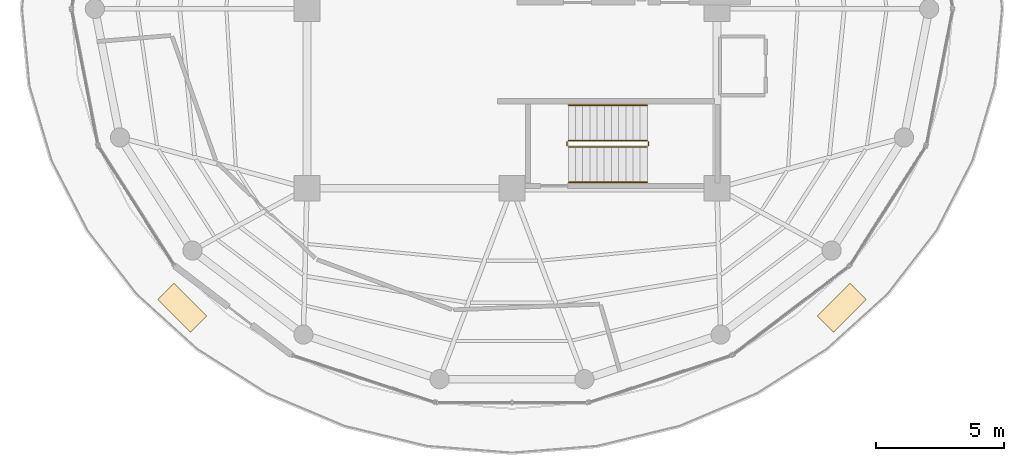
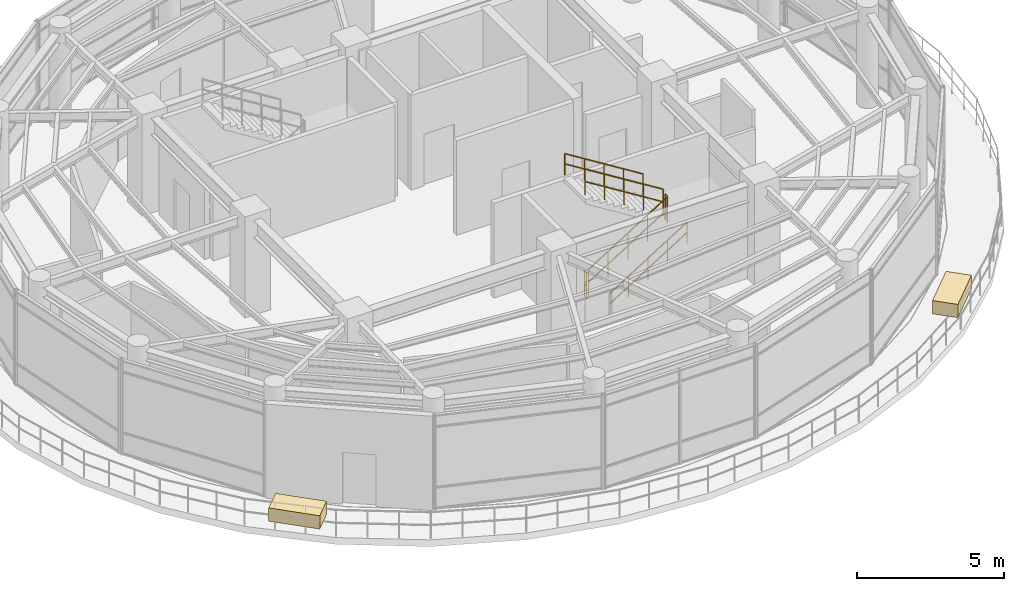
# One storey, part 19 of 20: 6 railings, 2 coverings.
"""IFC4 building model written with IfcOpenShell, lengths in metres."""

from ifc_helpers import new_model, si_unit, direction, frame, origin, origin_2d, place, context, subcontext, project, spatial, polyline, rectangle, outline, extrude, source, transform, mapped, material, layer, layer_set, type_object, element, save


model = new_model("IFC4")

# Units and contexts
model_context = context("Model", 3, precision=1e-05, world=origin(), true_north=direction((0.0, 1.0)))
body_context = subcontext(model_context, "Body", "Model", "MODEL_VIEW")
ifc_project = project(units=[si_unit("LENGTHUNIT", "METRE"), si_unit("AREAUNIT", "SQUARE_METRE"), si_unit("VOLUMEUNIT", "CUBIC_METRE"), si_unit("PLANEANGLEUNIT", "RADIAN"), si_unit("MASSUNIT", "GRAM", prefix="KILO")], contexts=[model_context])

# Site, building, storey
site_placement = place(None, origin())
site = spatial("IfcSite", under=ifc_project, at=site_placement, CompositionType="ELEMENT")
building_placement = place(site_placement, origin())
building = spatial("IfcBuilding", under=site, at=building_placement, Name="Kelanora Arch Commons", CompositionType="ELEMENT")
storey_placement = place(building_placement, frame((0.0, 0.0, 298.5)))
storey = spatial("IfcBuildingStorey", under=building, at=storey_placement, Name="L76", CompositionType="ELEMENT", Elevation=298.5)

# Railings
ifc_material_1 = material(Name="Painted steel stair well guard", Category="steel")
railing_type_1 = type_object("IfcRailingType", Name="RAIL-STAIR-GRD", PredefinedType="GUARDRAIL", material=ifc_material_1)
railing_1_placement = place(storey_placement, frame((76.199951171875, 52.610107421875, 0.175048828125)))
element("IfcRailing", 1, at=railing_1_placement, inside=storey, type_object=railing_type_1, Name="L76 ST-T2 stair guard 1", PredefinedType="GUARDRAIL", context=body_context, shape_type="SweptSolid", body=[
    extrude(outline(polyline([(0.02392578125, 0.0), (0.011962890625, 0.020751953125), (-0.011962890625, 0.020751953125), (-0.02392578125, 0.0), (-0.011962890625, -0.020751953125), (0.011962890625, -0.020751953125), (0.02392578125, 0.0)])), frame((0.0, 0.0, 1.076171875), z_axis=(0.847998304005, 0.0, 0.529998940003), x_axis=(0.0, 1.0, 0.0)), (0.0, 0.0, 1.0), 3.632080078125),
    extrude(outline(polyline([(0.02392578125, 0.0), (0.011962890625, 0.020751953125), (-0.011962890625, 0.020751953125), (-0.02392578125, 0.0), (-0.011962890625, -0.020751953125), (0.011962890625, -0.020751953125), (0.02392578125, 0.0)])), frame((0.0, 0.0, 0.550048828125), z_axis=(0.847998304005, 0.0, 0.529998940003), x_axis=(0.0, 1.0, 0.0)), (0.0, 0.0, 1.0), 3.632080078125),
    extrude(outline(polyline([(0.02099609375, 0.0), (0.010498046875, 0.01806640625), (-0.010498046875, 0.01806640625), (-0.02099609375, 0.0), (-0.010498046875, -0.01806640625), (0.010498046875, -0.01806640625), (0.02099609375, 0.0)])), origin(), (0.0, 0.0, 1.0), 1.052001953125),
    extrude(outline(polyline([(0.02099609375, 0.0), (0.010498046875, 0.01806640625), (-0.010498046875, 0.01806640625), (-0.02099609375, 0.0), (-0.010498046875, -0.01806640625), (0.010498046875, -0.01806640625), (0.02099609375, 0.0)])), frame((0.77001953125, 0.0, 0.481201171875)), (0.0, 0.0, 1.0), 1.052001953125),
    extrude(outline(polyline([(0.02099609375, 0.0), (0.010498046875, 0.01806640625), (-0.010498046875, 0.01806640625), (-0.02099609375, 0.0), (-0.010498046875, -0.01806640625), (0.010498046875, -0.01806640625), (0.02099609375, 0.0)])), frame((1.5400390625, 0.0, 0.96240234375)), (0.0, 0.0, 1.0), 1.052001953125),
    extrude(outline(polyline([(0.02099609375, 0.0), (0.010498046875, 0.01806640625), (-0.010498046875, 0.01806640625), (-0.02099609375, 0.0), (-0.010498046875, -0.01806640625), (0.010498046875, -0.01806640625), (0.02099609375, 0.0)])), frame((2.31005859375, 0.0, 1.44384765625)), (0.0, 0.0, 1.0), 1.052001953125),
    extrude(outline(polyline([(0.02099609375, 0.0), (0.010498046875, 0.01806640625), (-0.010498046875, 0.01806640625), (-0.02099609375, 0.0), (-0.010498046875, -0.01806640625), (0.010498046875, -0.01806640625), (0.02099609375, 0.0)])), frame((3.080078125, 0.0, 1.925048828125)), (0.0, 0.0, 1.0), 1.052001953125),
])
railing_2_placement = place(storey_placement, frame((79.330078125, 52.659912109375, 2.10009765625)))
element("IfcRailing", 2, at=railing_2_placement, inside=storey, type_object=railing_type_1, Name="L76 ST-T2 stair guard 2", PredefinedType="GUARDRAIL", context=body_context, shape_type="SweptSolid", body=[
    extrude(outline(polyline([(0.02392578125, 0.0), (0.011962890625, 0.020751953125), (-0.011962890625, 0.020751953125), (-0.02392578125, 0.0), (-0.011962890625, -0.020751953125), (0.011962890625, -0.020751953125), (0.02392578125, 0.0)])), frame((0.0, 0.0, 1.076171875), z_axis=(0.0, 1.0, 0.0), x_axis=(-1.0, 0.0, 0.0)), (0.0, 0.0, 1.0), 0.150146484375),
    extrude(outline(polyline([(0.02392578125, 0.0), (0.011962890625, 0.020751953125), (-0.011962890625, 0.020751953125), (-0.02392578125, 0.0), (-0.011962890625, -0.020751953125), (0.011962890625, -0.020751953125), (0.02392578125, 0.0)])), frame((0.0, 0.0, 0.550048828125), z_axis=(0.0, 1.0, 0.0), x_axis=(-1.0, 0.0, 0.0)), (0.0, 0.0, 1.0), 0.150146484375),
    extrude(outline(polyline([(0.02099609375, 0.0), (0.010498046875, 0.01806640625), (-0.010498046875, 0.01806640625), (-0.02099609375, 0.0), (-0.010498046875, -0.01806640625), (0.010498046875, -0.01806640625), (0.02099609375, 0.0)])), origin(), (0.0, 0.0, 1.0), 1.052001953125),
    extrude(outline(polyline([(0.02099609375, 0.0), (0.010498046875, 0.01806640625), (-0.010498046875, 0.01806640625), (-0.02099609375, 0.0), (-0.010498046875, -0.01806640625), (0.010498046875, -0.01806640625), (0.02099609375, 0.0)])), frame((0.0, 0.150146484375, 0.0)), (0.0, 0.0, 1.0), 1.052001953125),
])
railing_3_placement = place(storey_placement, frame((79.280029296875, 52.860107421875, 2.27490234375)))
element("IfcRailing", 3, at=railing_3_placement, inside=storey, type_object=railing_type_1, Name="L76 ST-T2 stair guard 3", PredefinedType="GUARDRAIL", context=body_context, shape_type="SweptSolid", body=[
    extrude(outline(polyline([(0.02392578125, 0.0), (0.011962890625, 0.020751953125), (-0.011962890625, 0.020751953125), (-0.02392578125, 0.0), (-0.011962890625, -0.020751953125), (0.011962890625, -0.020751953125), (0.02392578125, 0.0)])), frame((0.0, 0.0, 1.076171875), z_axis=(-0.847998304005, 0.0, 0.529998940003), x_axis=(0.0, -1.0, 0.0)), (0.0, 0.0, 1.0), 3.632080078125),
    extrude(outline(polyline([(0.02392578125, 0.0), (0.011962890625, 0.020751953125), (-0.011962890625, 0.020751953125), (-0.02392578125, 0.0), (-0.011962890625, -0.020751953125), (0.011962890625, -0.020751953125), (0.02392578125, 0.0)])), frame((0.0, 0.0, 0.550048828125), z_axis=(-0.847998304005, 0.0, 0.529998940003), x_axis=(0.0, -1.0, 0.0)), (0.0, 0.0, 1.0), 3.632080078125),
    extrude(outline(polyline([(0.02099609375, 0.0), (0.010498046875, 0.01806640625), (-0.010498046875, 0.01806640625), (-0.02099609375, 0.0), (-0.010498046875, -0.01806640625), (0.010498046875, -0.01806640625), (0.02099609375, 0.0)])), origin(), (0.0, 0.0, 1.0), 1.052001953125),
    extrude(outline(polyline([(0.02099609375, 0.0), (0.010498046875, 0.01806640625), (-0.010498046875, 0.01806640625), (-0.02099609375, 0.0), (-0.010498046875, -0.01806640625), (0.010498046875, -0.01806640625), (0.02099609375, 0.0)])), frame((-0.77001953125, 0.0, 0.481201171875)), (0.0, 0.0, 1.0), 1.052001953125),
    extrude(outline(polyline([(0.02099609375, 0.0), (0.010498046875, 0.01806640625), (-0.010498046875, 0.01806640625), (-0.02099609375, 0.0), (-0.010498046875, -0.01806640625), (0.010498046875, -0.01806640625), (0.02099609375, 0.0)])), frame((-1.5400390625, 0.0, 0.96240234375)), (0.0, 0.0, 1.0), 1.052001953125),
    extrude(outline(polyline([(0.02099609375, 0.0), (0.010498046875, 0.01806640625), (-0.010498046875, 0.01806640625), (-0.02099609375, 0.0), (-0.010498046875, -0.01806640625), (0.010498046875, -0.01806640625), (0.02099609375, 0.0)])), frame((-2.31005859375, 0.0, 1.44384765625)), (0.0, 0.0, 1.0), 1.052001953125),
    extrude(outline(polyline([(0.02099609375, 0.0), (0.010498046875, 0.01806640625), (-0.010498046875, 0.01806640625), (-0.02099609375, 0.0), (-0.010498046875, -0.01806640625), (0.010498046875, -0.01806640625), (0.02099609375, 0.0)])), frame((-3.080078125, 0.0, 1.925048828125)), (0.0, 0.0, 1.0), 1.052001953125),
])
railing_4_placement = place(storey_placement, frame((76.14990234375, 52.659912109375, 0.0)))
element("IfcRailing", 4, at=railing_4_placement, inside=storey, type_object=railing_type_1, Name="L76 ST-T2 stair guard 4", PredefinedType="GUARDRAIL", context=body_context, shape_type="SweptSolid", body=[
    extrude(outline(polyline([(0.02392578125, 0.0), (0.011962890625, 0.020751953125), (-0.011962890625, 0.020751953125), (-0.02392578125, 0.0), (-0.011962890625, -0.020751953125), (0.011962890625, -0.020751953125), (0.02392578125, 0.0)])), frame((0.0, 0.0, 1.076171875), z_axis=(0.0, 1.0, 0.0), x_axis=(-1.0, 0.0, 0.0)), (0.0, 0.0, 1.0), 0.150146484375),
    extrude(outline(polyline([(0.02392578125, 0.0), (0.011962890625, 0.020751953125), (-0.011962890625, 0.020751953125), (-0.02392578125, 0.0), (-0.011962890625, -0.020751953125), (0.011962890625, -0.020751953125), (0.02392578125, 0.0)])), frame((0.0, 0.0, 0.550048828125), z_axis=(0.0, 1.0, 0.0), x_axis=(-1.0, 0.0, 0.0)), (0.0, 0.0, 1.0), 0.150146484375),
    extrude(outline(polyline([(0.02099609375, 0.0), (0.010498046875, 0.01806640625), (-0.010498046875, 0.01806640625), (-0.02099609375, 0.0), (-0.010498046875, -0.01806640625), (0.010498046875, -0.01806640625), (0.02099609375, 0.0)])), origin(), (0.0, 0.0, 1.0), 1.052001953125),
    extrude(outline(polyline([(0.02099609375, 0.0), (0.010498046875, 0.01806640625), (-0.010498046875, 0.01806640625), (-0.02099609375, 0.0), (-0.010498046875, -0.01806640625), (0.010498046875, -0.01806640625), (0.02099609375, 0.0)])), frame((0.0, 0.150146484375, 0.0)), (0.0, 0.0, 1.0), 1.052001953125),
])
ifc_material_2 = material(Name="Brushed stainless steel stair handrail", Category="steel")
railing_type_2 = type_object("IfcRailingType", Name="RAIL-STAIR-HND", PredefinedType="HANDRAIL", material=ifc_material_2)
railing_5_placement = place(storey_placement, frame((76.199951171875, 51.22998046875, 0.175048828125)))
element("IfcRailing", 5, at=railing_5_placement, inside=storey, type_object=railing_type_2, Name="L76 ST-T2 stair handrail 1", PredefinedType="HANDRAIL", context=body_context, shape_type="SweptSolid", body=[
    extrude(outline(polyline([(0.02392578125, 0.0), (0.011962890625, 0.020751953125), (-0.011962890625, 0.020751953125), (-0.02392578125, 0.0), (-0.011962890625, -0.020751953125), (0.011962890625, -0.020751953125), (0.02392578125, 0.0)])), frame((0.0, 0.0, 0.8759765625), z_axis=(0.847998304005, 0.0, 0.529998940003), x_axis=(0.0, 1.0, 0.0)), (0.0, 0.0, 1.0), 3.632080078125),
    extrude(outline(polyline([(0.02392578125, 0.0), (0.011962890625, 0.020751953125), (-0.011962890625, 0.020751953125), (-0.02392578125, 0.0), (-0.011962890625, -0.020751953125), (0.011962890625, -0.020751953125), (0.02392578125, 0.0)])), frame((0.0, 0.0, 0.449951171875), z_axis=(0.847998304005, 0.0, 0.529998940003), x_axis=(0.0, 1.0, 0.0)), (0.0, 0.0, 1.0), 3.632080078125),
    extrude(outline(polyline([(0.02099609375, 0.0), (0.010498046875, 0.01806640625), (-0.010498046875, 0.01806640625), (-0.02099609375, 0.0), (-0.010498046875, -0.01806640625), (0.010498046875, -0.01806640625), (0.02099609375, 0.0)])), origin(), (0.0, 0.0, 1.0), 0.851806640625),
    extrude(outline(polyline([(0.02099609375, 0.0), (0.010498046875, 0.01806640625), (-0.010498046875, 0.01806640625), (-0.02099609375, 0.0), (-0.010498046875, -0.01806640625), (0.010498046875, -0.01806640625), (0.02099609375, 0.0)])), frame((0.77001953125, 0.0, 0.481201171875)), (0.0, 0.0, 1.0), 0.851806640625),
    extrude(outline(polyline([(0.02099609375, 0.0), (0.010498046875, 0.01806640625), (-0.010498046875, 0.01806640625), (-0.02099609375, 0.0), (-0.010498046875, -0.01806640625), (0.010498046875, -0.01806640625), (0.02099609375, 0.0)])), frame((1.5400390625, 0.0, 0.96240234375)), (0.0, 0.0, 1.0), 0.851806640625),
    extrude(outline(polyline([(0.02099609375, 0.0), (0.010498046875, 0.01806640625), (-0.010498046875, 0.01806640625), (-0.02099609375, 0.0), (-0.010498046875, -0.01806640625), (0.010498046875, -0.01806640625), (0.02099609375, 0.0)])), frame((2.31005859375, 0.0, 1.44384765625)), (0.0, 0.0, 1.0), 0.851806640625),
    extrude(outline(polyline([(0.02099609375, 0.0), (0.010498046875, 0.01806640625), (-0.010498046875, 0.01806640625), (-0.02099609375, 0.0), (-0.010498046875, -0.01806640625), (0.010498046875, -0.01806640625), (0.02099609375, 0.0)])), frame((3.080078125, 0.0, 1.925048828125)), (0.0, 0.0, 1.0), 0.851806640625),
])
railing_6_placement = place(storey_placement, frame((79.280029296875, 54.239990234375, 2.27490234375)))
element("IfcRailing", 6, at=railing_6_placement, inside=storey, type_object=railing_type_2, Name="L76 ST-T2 stair handrail 2", PredefinedType="HANDRAIL", context=body_context, shape_type="SweptSolid", body=[
    extrude(outline(polyline([(0.02392578125, 0.0), (0.011962890625, 0.020751953125), (-0.011962890625, 0.020751953125), (-0.02392578125, 0.0), (-0.011962890625, -0.020751953125), (0.011962890625, -0.020751953125), (0.02392578125, 0.0)])), frame((0.0, 0.0, 0.8759765625), z_axis=(-0.847998304005, 0.0, 0.529998940003), x_axis=(0.0, -1.0, 0.0)), (0.0, 0.0, 1.0), 3.632080078125),
    extrude(outline(polyline([(0.02392578125, 0.0), (0.011962890625, 0.020751953125), (-0.011962890625, 0.020751953125), (-0.02392578125, 0.0), (-0.011962890625, -0.020751953125), (0.011962890625, -0.020751953125), (0.02392578125, 0.0)])), frame((0.0, 0.0, 0.449951171875), z_axis=(-0.847998304005, 0.0, 0.529998940003), x_axis=(0.0, -1.0, 0.0)), (0.0, 0.0, 1.0), 3.632080078125),
    extrude(outline(polyline([(0.02099609375, 0.0), (0.010498046875, 0.01806640625), (-0.010498046875, 0.01806640625), (-0.02099609375, 0.0), (-0.010498046875, -0.01806640625), (0.010498046875, -0.01806640625), (0.02099609375, 0.0)])), origin(), (0.0, 0.0, 1.0), 0.851806640625),
    extrude(outline(polyline([(0.02099609375, 0.0), (0.010498046875, 0.01806640625), (-0.010498046875, 0.01806640625), (-0.02099609375, 0.0), (-0.010498046875, -0.01806640625), (0.010498046875, -0.01806640625), (0.02099609375, 0.0)])), frame((-0.77001953125, 0.0, 0.481201171875)), (0.0, 0.0, 1.0), 0.851806640625),
    extrude(outline(polyline([(0.02099609375, 0.0), (0.010498046875, 0.01806640625), (-0.010498046875, 0.01806640625), (-0.02099609375, 0.0), (-0.010498046875, -0.01806640625), (0.010498046875, -0.01806640625), (0.02099609375, 0.0)])), frame((-1.5400390625, 0.0, 0.96240234375)), (0.0, 0.0, 1.0), 0.851806640625),
    extrude(outline(polyline([(0.02099609375, 0.0), (0.010498046875, 0.01806640625), (-0.010498046875, 0.01806640625), (-0.02099609375, 0.0), (-0.010498046875, -0.01806640625), (0.010498046875, -0.01806640625), (0.02099609375, 0.0)])), frame((-2.31005859375, 0.0, 1.44384765625)), (0.0, 0.0, 1.0), 0.851806640625),
    extrude(outline(polyline([(0.02099609375, 0.0), (0.010498046875, 0.01806640625), (-0.010498046875, 0.01806640625), (-0.02099609375, 0.0), (-0.010498046875, -0.01806640625), (0.010498046875, -0.01806640625), (0.02099609375, 0.0)])), frame((-3.080078125, 0.0, 1.925048828125)), (0.0, 0.0, 1.0), 0.851806640625),
])

# Coverings
ifc_material_3 = material(Name="Architectural terracotta planter bed with planting soil", Category="masonry")
ifc_layer = layer(ifc_material_3, 0.550048828125)
ifc_layer_set = layer_set([ifc_layer], Name="Architectural terracotta planter bed with planting soil")
covering_type = type_object("IfcCoveringType", Name="COV-PLANTER", PredefinedType="USERDEFINED", material=ifc_layer_set)
shared_shape = source(origin(), body_context, "Body", "SweptSolid", [
    extrude(rectangle(XDim=1.800048828125, YDim=0.89990234375, at=origin_2d()), origin(), (0.0, 0.0, 1.0), 0.550048828125),
])
for number, where, z_axis, x_axis, name in (
    (7, (61.130615234375, 46.332763671875, 0.0), (0.0, 0.0, 1.0), (0.707106781187, -0.707106781187, 0.0), "Sky-Terrace Planter L76-3"),
    (8, (86.869384765625, 46.332763671875, 0.0), (0.0, 0.0, 1.0), (0.707106781187, 0.707106781187, 0.0), "Sky-Terrace Planter L76-4"),
):
    element("IfcCovering", number, at=place(storey_placement, frame(where, z_axis=z_axis, x_axis=x_axis)), inside=storey, type_object=covering_type, Name=name, ObjectType="PLANTER", PredefinedType="USERDEFINED", context=body_context, shape_type="MappedRepresentation", body=[
        mapped(shared_shape, transform((0.0, 0.0, 0.0), scale=1.0)),
    ])

save(model, "model.ifc")
